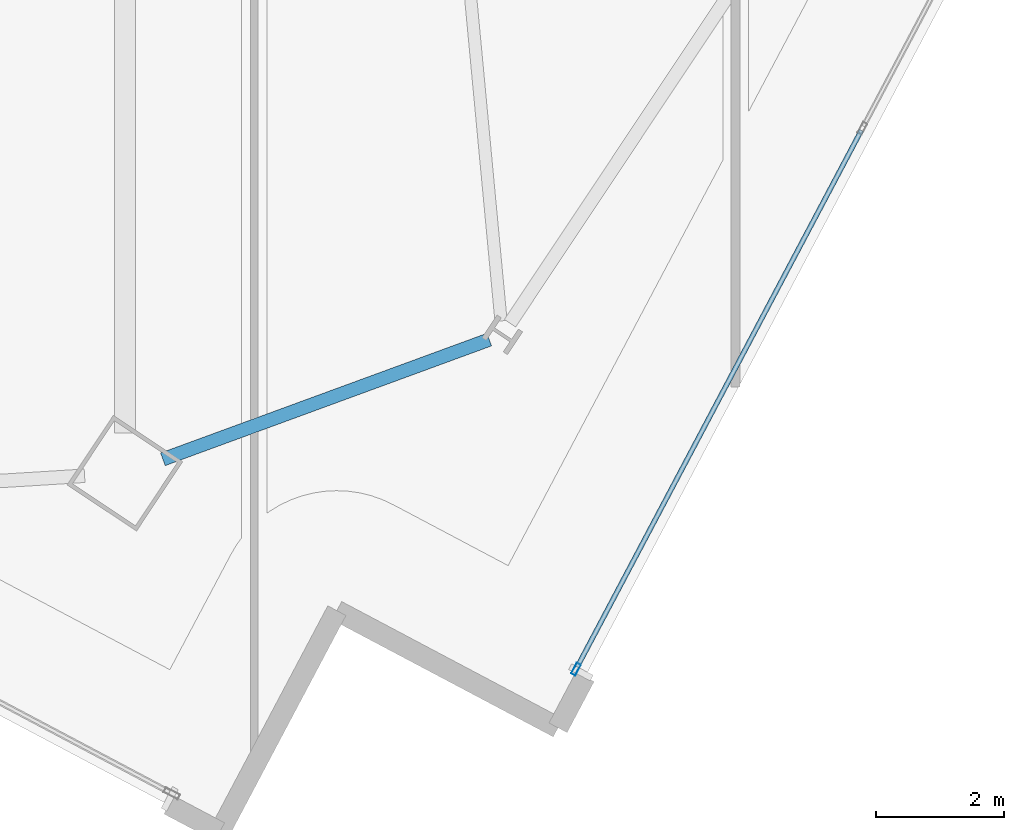
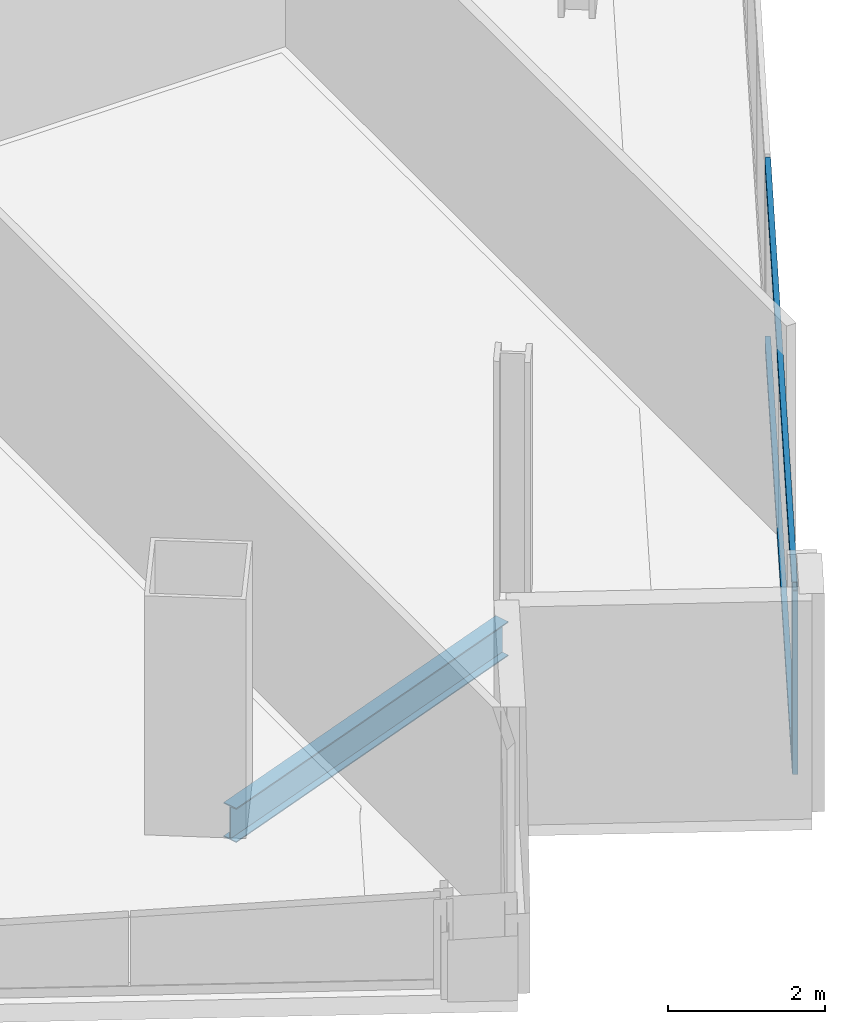
# One storey, part 8 of 28: 3 members, 1 beam, 1 element without a shape of its own.
"""IFC4 building model written with IfcOpenShell, lengths in metres."""

import ifcopenshell
import ifcopenshell.guid

model = None  # the IFC model being written
_history = None  # IfcOwnerHistory: only IFC2X3 demands one
_inside = {}  # id of a spatial element -> (the spatial element, [elements in it])
_under = {}  # id of a project, library or spatial element -> (it, [spatial elements below it])
_declared = {}  # id of a project -> (the project, [libraries it declares])
_typed = {}  # id of a type object -> (the type object, [elements of that type])
_made_of = {}  # id of a material, layer set ... -> (it, [elements and type objects made of it])


def new_model(schema):
    """Start an empty IFC model of exactly this schema.

    Asked for "IFC4X3", IfcOpenShell would pick the latest addendum, in which some entities
    have other attributes; the version numbers below select the first issue.
    IFC2X3 requires an IfcOwnerHistory on every rooted entity: one is made here for all.
    """
    global model, _history
    if schema == "IFC4X3":
        model = ifcopenshell.file(schema_version=(4, 3, 0, 0))
    else:
        model = ifcopenshell.file(schema=schema)
    _inside.clear()
    _under.clear()
    _declared.clear()
    _typed.clear()
    _made_of.clear()
    _history = None
    if model.schema == "IFC2X3":
        org = make("IfcOrganization", Name="unknown")
        user = make(
            "IfcPersonAndOrganization",
            ThePerson=make("IfcPerson", FamilyName="unknown"),
            TheOrganization=org,
        )
        app = make(
            "IfcApplication",
            ApplicationDeveloper=org,
            Version="unknown",
            ApplicationFullName="unknown",
            ApplicationIdentifier="unknown",
        )
        _history = make(
            "IfcOwnerHistory",
            OwningUser=user,
            OwningApplication=app,
            ChangeAction="ADDED",
            CreationDate=0,
        )
    return model


def make(cls, **values):
    """One entity of the class cls with the attributes given. An attribute that is None is left unset."""
    return model.create_entity(
        cls, **{name: value for name, value in values.items() if value is not None}
    )


def rooted(cls, **values):
    """An entity with a GlobalId (a new one), such as an element, a storey or a relation."""
    return make(cls, GlobalId=ifcopenshell.guid.new(), OwnerHistory=_history, **values)


def si_unit(unit_type, name, prefix=None):
    """IfcSIUnit, for example si_unit("LENGTHUNIT", "METRE", prefix="MILLI")."""
    return make("IfcSIUnit", UnitType=unit_type, Prefix=prefix, Name=name)


def assignment(units):
    """IfcUnitAssignment: the units of a project."""
    return None if units is None else make("IfcUnitAssignment", Units=units)


def point(xyz):
    """IfcCartesianPoint."""
    return None if xyz is None else make("IfcCartesianPoint", Coordinates=xyz)


def direction(xyz):
    """IfcDirection."""
    return None if xyz is None else make("IfcDirection", DirectionRatios=xyz)


def frame(location, z_axis=None, x_axis=None):
    """IfcAxis2Placement3D, a coordinate frame: its origin and axes. An axis left out is left unset."""
    return make(
        "IfcAxis2Placement3D",
        Location=point(location),
        Axis=direction(z_axis),
        RefDirection=direction(x_axis),
    )


def frame_2d(location, x_axis=None):
    """IfcAxis2Placement2D, a coordinate frame in the plane: its origin and x axis."""
    return make(
        "IfcAxis2Placement2D", Location=point(location), RefDirection=direction(x_axis)
    )


def origin():
    """The frame at (0, 0, 0) with its axes left unset."""
    return frame((0.0, 0.0, 0.0))


def origin_2d():
    """The frame at (0, 0) in the plane with its x axis left unset."""
    return frame_2d((0.0, 0.0))


def place(relative_to, where):
    """IfcLocalPlacement: puts the frame where relative to a parent placement (None: the world)."""
    return make(
        "IfcLocalPlacement", PlacementRelTo=relative_to, RelativePlacement=where
    )


def context(
    kind, dimensions, precision=None, world=None, true_north=None, identifier=None
):
    """IfcGeometricRepresentationContext, for example the 3D "Model" context."""
    return make(
        "IfcGeometricRepresentationContext",
        ContextIdentifier=identifier,
        ContextType=kind,
        CoordinateSpaceDimension=dimensions,
        Precision=precision,
        WorldCoordinateSystem=world,
        TrueNorth=true_north,
    )


def subcontext(parent, identifier, kind, view, scale=None):
    """IfcGeometricRepresentationSubContext, for example "Body" below "Model"."""
    return make(
        "IfcGeometricRepresentationSubContext",
        ContextIdentifier=identifier,
        ContextType=kind,
        ParentContext=parent,
        TargetScale=scale,
        TargetView=view,
    )


def project(units=None, contexts=None):
    """IfcProject with its units and contexts."""
    return rooted(
        "IfcProject",
        Name="project",
        RepresentationContexts=contexts,
        UnitsInContext=assignment(units),
    )


def spatial(cls, under=None, at=None, **own):
    """A site, building, storey or space (cls), placed at a placement, below another one or the project."""
    s = rooted(cls, ObjectPlacement=at, **own)
    if under is not None:
        _under.setdefault(under.id(), (under, []))[1].append(s)
    return s


def profile(cls, at=None, kind="AREA", **sizes):
    """A parametric profile (cls). Its sizes go by their IFC names, for example OverallWidth=200.0."""
    return make(cls, ProfileType=kind, Position=at, **sizes)


def hollow_rectangle(**sizes):
    """IfcRectangleHollowProfileDef."""
    return profile("IfcRectangleHollowProfileDef", **sizes)


def i_section(**sizes):
    """IfcIShapeProfileDef."""
    return profile("IfcIShapeProfileDef", **sizes)


def extrude(swept, where, along, depth):
    """IfcExtrudedAreaSolid: the profile swept, set in the frame where, extruded along a direction by depth."""
    return make(
        "IfcExtrudedAreaSolid",
        SweptArea=swept,
        Position=where,
        ExtrudedDirection=direction(along),
        Depth=depth,
    )


def shape(context_of_items, identifier, shape_type, items):
    """IfcShapeRepresentation: the items that make up one representation, for example the "Body"."""
    return make(
        "IfcShapeRepresentation",
        ContextOfItems=context_of_items,
        RepresentationIdentifier=identifier,
        RepresentationType=shape_type,
        Items=items,
    )


def material(Name=None, Category=None):
    """IfcMaterial."""
    return make("IfcMaterial", Name=Name, Category=Category)


def material_profile(
    of_material, cross_section, Name=None, Category=None, Priority=None
):
    """IfcMaterialProfile: a cross section and its material."""
    return make(
        "IfcMaterialProfile",
        Name=Name,
        Material=of_material,
        Profile=cross_section,
        Priority=Priority,
        Category=Category,
    )


def profile_set(profiles, Name=None, composite=None):
    """IfcMaterialProfileSet."""
    return make(
        "IfcMaterialProfileSet",
        Name=Name,
        MaterialProfiles=profiles,
        CompositeProfile=composite,
    )


def made_of(thing, what):
    """Note that an element or type object is made of a material, layer set ...; save() writes the relation."""
    if what is not None:
        _made_of.setdefault(what.id(), (what, []))[1].append(thing)
    return thing


def type_object(cls, material=None, **own):
    """A type object (cls), such as IfcWallType, which elements share."""
    return made_of(rooted(cls, **own), material)


def element(
    cls,
    number,
    at=None,
    inside=None,
    cuts=None,
    type_object=None,
    material=None,
    context=None,
    identifier="Body",
    shape_type=None,
    held_by="IfcProductDefinitionShape",
    body=None,
    shapes=None,
    **own,
):
    """One element of the class cls, such as IfcWall. Its Tag is "e" and its number.

    at: its placement. inside: the storey or other place that contains it. cuts: it is an
    opening in that element (IfcRelVoidsElement). A single representation is given by context,
    identifier, shape_type and body (its items); several are given by shapes. held_by: the class
    of the entity that holds the representations. save() writes the other relations.
    """
    e = rooted(cls, Tag="e%d" % number, ObjectPlacement=at, **own)
    if body is not None:
        shapes = [shape(context, identifier, shape_type, body)]
    if shapes is not None:
        e.Representation = make(held_by, Representations=shapes)
    if inside is not None:
        _inside.setdefault(inside.id(), (inside, []))[1].append(e)
    if cuts is not None:
        rooted(
            "IfcRelVoidsElement", RelatingBuildingElement=cuts, RelatedOpeningElement=e
        )
    if type_object is not None:
        _typed.setdefault(type_object.id(), (type_object, []))[1].append(e)
    return made_of(e, material)


def aggregate(whole, parts):
    """IfcRelAggregates: a whole, such as a stair, and the parts it consists of."""
    return rooted("IfcRelAggregates", RelatingObject=whole, RelatedObjects=parts)


def save(model, path):
    """Write the relations noted so far, then the file.

    IfcRelAggregates (storeys below a building ...), IfcRelContainedInSpatialStructure (elements
    in a storey), IfcRelDefinesByType, IfcRelAssociatesMaterial and IfcRelDeclares: one each for
    every whole, place, type object, material and project.
    """
    for whole, parts in _under.values():
        aggregate(whole, parts)
    for where, things in _inside.values():
        rooted(
            "IfcRelContainedInSpatialStructure",
            RelatedElements=things,
            RelatingStructure=where,
        )
    for kind, things in _typed.values():
        rooted("IfcRelDefinesByType", RelatedObjects=things, RelatingType=kind)
    for what, things in _made_of.values():
        rooted("IfcRelAssociatesMaterial", RelatedObjects=things, RelatingMaterial=what)
    for by, libraries in _declared.values():
        rooted("IfcRelDeclares", RelatingContext=by, RelatedDefinitions=libraries)
    model.write(path)


model = new_model("IFC4")

# Units and contexts
model_context = context("Model", 3, precision=1e-05, world=origin(), true_north=direction((0.0, 1.0)))
body_context = subcontext(model_context, "Body", "Model", "MODEL_VIEW")
ifc_project = project(units=[si_unit("LENGTHUNIT", "METRE"), si_unit("AREAUNIT", "SQUARE_METRE"), si_unit("VOLUMEUNIT", "CUBIC_METRE"), si_unit("PLANEANGLEUNIT", "RADIAN"), si_unit("MASSUNIT", "GRAM", prefix="KILO")], contexts=[model_context])

# Site, building, storey
site_placement = place(None, origin())
site = spatial("IfcSite", under=ifc_project, at=site_placement, CompositionType="ELEMENT")
building_placement = place(site_placement, origin())
building = spatial("IfcBuilding", under=site, at=building_placement, Name="Haldenkirk Collegiate Tower", CompositionType="ELEMENT")
storey_placement = place(building_placement, frame((0.0, 0.0, 235.949951171875)))
storey = spatial("IfcBuildingStorey", under=building, at=storey_placement, Name="L59", CompositionType="ELEMENT", Elevation=235.949951171875)

# Beam
ifc_material_1 = material(Name="Steel ASTM A992 Grade 50", Category="steel")
ifc_material_profile_1 = material_profile(ifc_material_1, i_section(OverallWidth=0.2099609375, OverallDepth=0.537109375, WebThickness=0.010986328125, FlangeThickness=0.017333984375, at=origin_2d()), Name="W21X68")
ifc_profile_set_1 = profile_set([ifc_material_profile_1], Name="Steel ASTM A992 Grade 50")
beam_type = type_object("IfcBeamType", Name="BM-SPANDREL-W21X68", PredefinedType="SPANDREL", material=ifc_profile_set_1)
beam_placement = place(storey_placement, frame((41.07421875, 1.5498046875, -0.54833984375), z_axis=(0.938836975249, 0.344361922843, 0.0), x_axis=(-0.344361922843, 0.938836975249, 0.0)))
element("IfcBeam", 1, at=beam_placement, inside=storey, type_object=beam_type, Name="L59 perimeter spandrel beam 01", PredefinedType="SPANDREL", context=body_context, shape_type="SweptSolid", body=[
    extrude(i_section(OverallWidth=0.2099609375, OverallDepth=0.537109375, WebThickness=0.010986328125, FlangeThickness=0.017333984375, at=origin_2d()), origin(), (0.0, 0.0, 1.0), 5.41650390625),
])

# Curtain wall, members
ifc_material_2 = material(Name="Anodised architectural bronze aluminium", Category="aluminium")
curtain_wall_type = type_object("IfcCurtainWallType", Name="CW-SYS2-CONCAVE", PredefinedType="USERDEFINED", material=ifc_material_2)
curtain_wall_placement = place(storey_placement, origin())
curtain_wall = element("IfcCurtainWall", 2, at=curtain_wall_placement, inside=storey, type_object=curtain_wall_type, Name="L59 South concave recessed bronze-anodised curtain wall", ObjectType="UNITISED CURTAIN WALL", PredefinedType="USERDEFINED")
ifc_material_profile_2 = material_profile(ifc_material_2, hollow_rectangle(XDim=0.074951171875, YDim=0.18994140625, WallThickness=0.0048828125, at=origin_2d()), Name="CW-MUL-02")
ifc_profile_set_2 = profile_set([ifc_material_profile_2], Name="Anodised architectural bronze aluminium")
member_type_1 = type_object("IfcMemberType", Name="CW-MUL-02", PredefinedType="MULLION", material=ifc_profile_set_2)
member_1_placement = place(storey_placement, frame((47.51123046875, -1.72119140625, 0.0), z_axis=(0.0, 0.0, 1.0), x_axis=(0.883764543584, -0.467931866304, 0.0)))
member_1 = element("IfcMember", 3, at=member_1_placement, type_object=member_type_1, Name="CW-02 mullion 5", PredefinedType="MULLION", context=body_context, shape_type="SweptSolid", body=[
    extrude(hollow_rectangle(XDim=0.074951171875, YDim=0.18994140625, WallThickness=0.0048828125, at=origin_2d()), origin(), (0.0, 0.0, 1.0), 2.858154296875),
])
ifc_material_profile_3 = material_profile(ifc_material_2, hollow_rectangle(XDim=0.074951171875, YDim=0.159912109375, WallThickness=0.0048828125, at=origin_2d()), Name="CW-TRN-02")
ifc_profile_set_3 = profile_set([ifc_material_profile_3], Name="Anodised architectural bronze aluminium")
member_type_2 = type_object("IfcMemberType", Name="CW-TRN-02", PredefinedType="USERDEFINED", material=ifc_profile_set_3)
member_2_placement = place(storey_placement, frame((51.956787109375, 6.674560546875, 0.03759765625), z_axis=(-0.467938692519, -0.883760929236, 0.0), x_axis=(0.883760929236, -0.467938692519, 0.0)))
member_2 = element("IfcMember", 4, at=member_2_placement, type_object=member_type_2, Name="CW-02 transom 4.1", ObjectType="TRANSOM", PredefinedType="USERDEFINED", context=body_context, shape_type="SweptSolid", body=[
    extrude(hollow_rectangle(XDim=0.074951171875, YDim=0.159912109375, WallThickness=0.0048828125, at=origin_2d()), origin(), (0.0, 0.0, 1.0), 9.462646484375),
])
member_3_placement = place(storey_placement, frame((51.956787109375, 6.674560546875, 2.820556640625), z_axis=(-0.467938692519, -0.883760929236, 0.0), x_axis=(0.883760929236, -0.467938692519, 0.0)))
member_3 = element("IfcMember", 5, at=member_3_placement, type_object=member_type_2, Name="CW-02 transom 4.2", ObjectType="TRANSOM", PredefinedType="USERDEFINED", context=body_context, shape_type="SweptSolid", body=[
    extrude(hollow_rectangle(XDim=0.074951171875, YDim=0.159912109375, WallThickness=0.0048828125, at=origin_2d()), origin(), (0.0, 0.0, 1.0), 9.462646484375),
])
aggregate(curtain_wall, [member_1, member_2, member_3])

save(model, "model.ifc")
